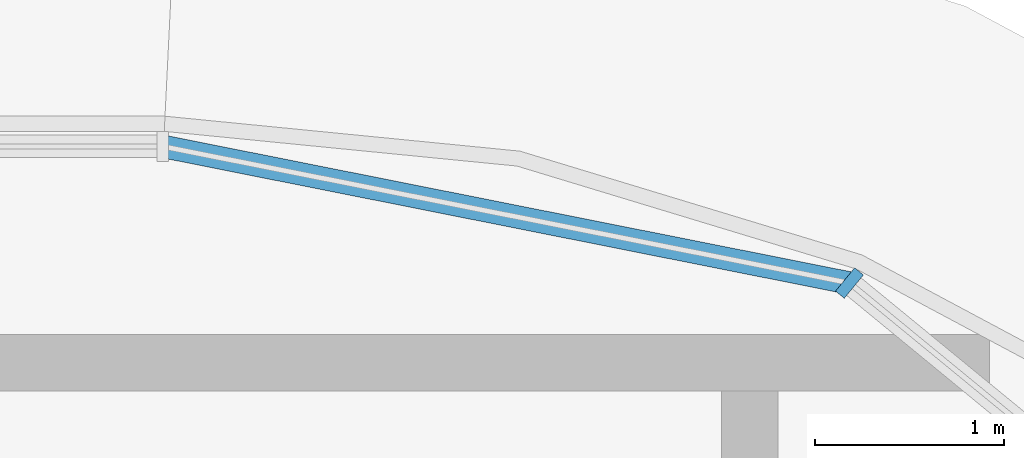
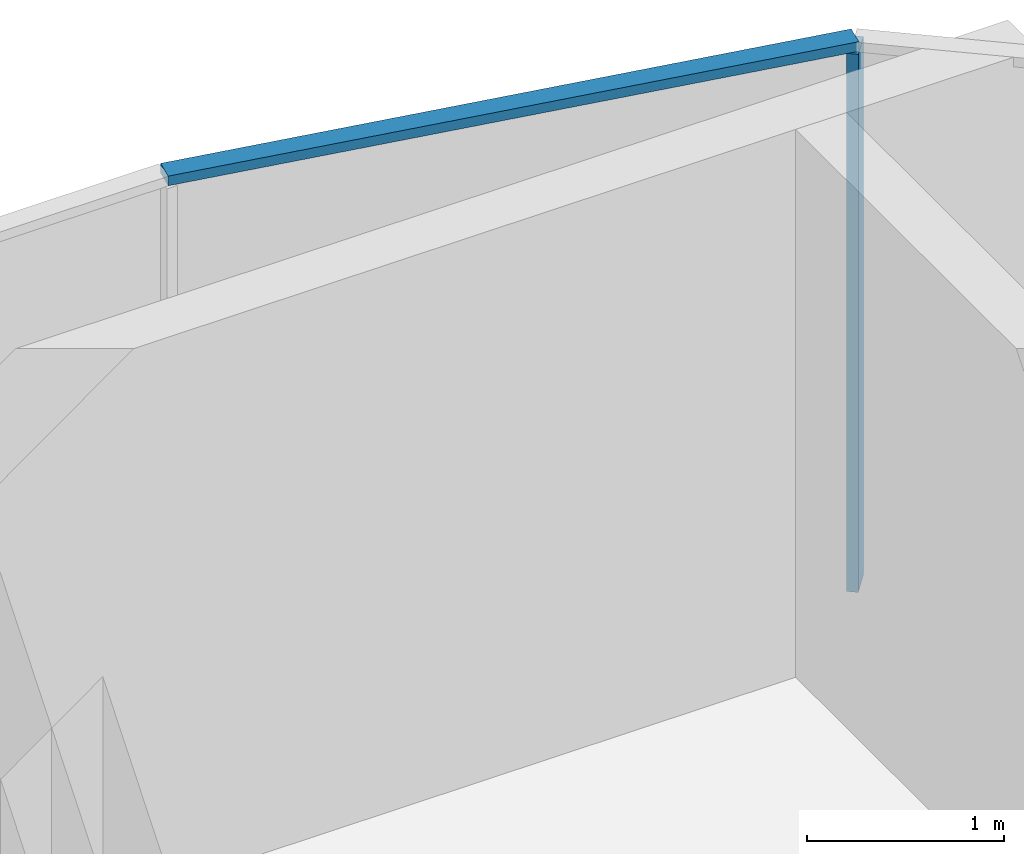
# One storey, part 5 of 20: 2 members, 1 element without a shape of its own.
"""IFC4 building model written with IfcOpenShell, lengths in metres."""

from ifc_helpers import new_model, si_unit, direction, frame, origin, origin_2d, place, context, subcontext, project, spatial, rectangle, extrude, material, material_profile, profile_set, type_object, element, aggregate, save


model = new_model("IFC4")

# Units and contexts
model_context = context("Model", 3, precision=1e-05, world=origin(), true_north=direction((0.0, 1.0)))
body_context = subcontext(model_context, "Body", "Model", "MODEL_VIEW")
ifc_project = project(units=[si_unit("LENGTHUNIT", "METRE"), si_unit("AREAUNIT", "SQUARE_METRE"), si_unit("VOLUMEUNIT", "CUBIC_METRE"), si_unit("PLANEANGLEUNIT", "RADIAN"), si_unit("MASSUNIT", "GRAM", prefix="KILO")], contexts=[model_context])

# Site, building, storey
site_placement = place(None, origin())
site = spatial("IfcSite", under=ifc_project, at=site_placement, CompositionType="ELEMENT")
building_placement = place(site_placement, origin())
building = spatial("IfcBuilding", under=site, at=building_placement, Name="Ogive Portal Towers", CompositionType="ELEMENT")
storey_placement = place(building_placement, frame((0.0, 0.0, 232.800048828125)))
storey = spatial("IfcBuildingStorey", under=building, at=storey_placement, Name="L58", CompositionType="ELEMENT", Elevation=232.800048828125)

# Curtain wall, members
ifc_material_1 = material(Name="Glass, clear low-iron insulated glazing", Category="glass")
curtain_wall_type = type_object("IfcCurtainWallType", Name="CW FRONT RIBBON 4500", PredefinedType="NOTDEFINED", material=ifc_material_1)
curtain_wall_placement = place(storey_placement, origin())
curtain_wall = element("IfcCurtainWall", 1, at=curtain_wall_placement, inside=storey, type_object=curtain_wall_type, Name="A:L58:f13:cwa", PredefinedType="NOTDEFINED")
ifc_material_2 = material(Name="Aluminium 6063 anodised", Category="aluminium")
ifc_material_profile_1 = material_profile(ifc_material_2, rectangle(XDim=0.159912109375, YDim=0.06005859375, at=origin_2d()), Name="AL 60x160")
ifc_profile_set_1 = profile_set([ifc_material_profile_1], Name="Aluminium 6063 anodised")
member_type_1 = type_object("IfcMemberType", Name="CW MULLION 60x160", PredefinedType="MULLION", material=ifc_profile_set_1)
member_1_placement = place(storey_placement, frame((91.12890625, 41.271484375, 0.0), z_axis=(0.0, 0.0, 1.0), x_axis=(-0.634393284164, -0.773010453363, 0.0)))
member_1 = element("IfcMember", 2, at=member_1_placement, type_object=member_type_1, Name="mullion", PredefinedType="MULLION", context=body_context, shape_type="SweptSolid", body=[
    extrude(rectangle(XDim=0.159912109375, YDim=0.06005859375, at=origin_2d()), origin(), (0.0, 0.0, 1.0), 3.33984375),
])
ifc_material_profile_2 = material_profile(ifc_material_2, rectangle(XDim=0.1201171875, YDim=0.06005859375, at=origin_2d()), Name="AL 120x60")
ifc_profile_set_2 = profile_set([ifc_material_profile_2], Name="Aluminium 6063 anodised")
member_type_2 = type_object("IfcMemberType", Name="CW TRANSOM 60x120", PredefinedType="USERDEFINED", material=ifc_profile_set_2)
member_2_placement = place(storey_placement, frame((91.12890625, 41.271484375, 3.369873046875), z_axis=(-0.980772662828, 0.195153744134, 0.0), x_axis=(-0.195153744134, -0.980772662828, 0.0)))
member_2 = element("IfcMember", 3, at=member_2_placement, type_object=member_type_2, Name="transom", ObjectType="TRANSOM", PredefinedType="USERDEFINED", context=body_context, shape_type="SweptSolid", body=[
    extrude(rectangle(XDim=0.1201171875, YDim=0.06005859375, at=origin_2d()), origin(), (0.0, 0.0, 1.0), 3.7080078125),
])
aggregate(curtain_wall, [member_2, member_1])

save(model, "model.ifc")
